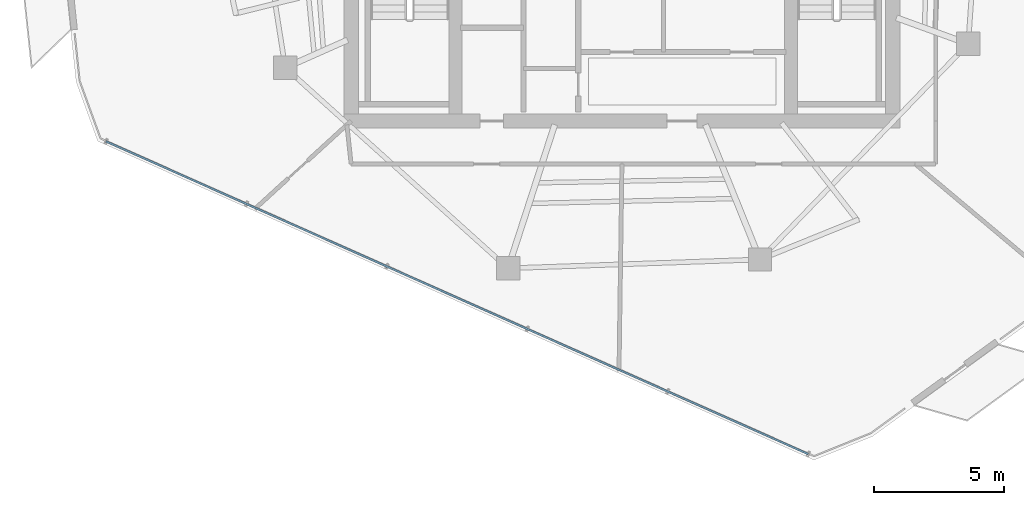
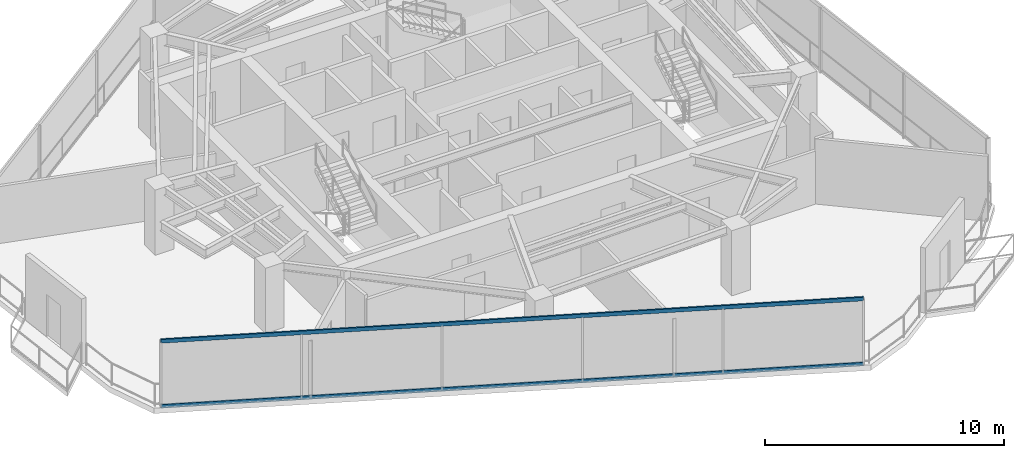
# One storey, part 3 of 20: 2 members, 1 element without a shape of its own.
"""IFC4 building model written with IfcOpenShell, lengths in metres."""

from ifc_helpers import new_model, si_unit, direction, frame, origin, origin_2d, place, context, subcontext, project, spatial, hollow_rectangle, extrude, material, layer, layer_set, material_profile, profile_set, type_object, element, aggregate, save


model = new_model("IFC4")

# Units and contexts
model_context = context("Model", 3, precision=1e-05, world=origin(), true_north=direction((0.0, 1.0)))
body_context = subcontext(model_context, "Body", "Model", "MODEL_VIEW")
ifc_project = project(units=[si_unit("LENGTHUNIT", "METRE"), si_unit("AREAUNIT", "SQUARE_METRE"), si_unit("VOLUMEUNIT", "CUBIC_METRE"), si_unit("PLANEANGLEUNIT", "RADIAN"), si_unit("MASSUNIT", "GRAM", prefix="KILO")], contexts=[model_context])

# Site, building, storey
site_placement = place(None, origin())
site = spatial("IfcSite", under=ifc_project, at=site_placement, CompositionType="ELEMENT")
building_placement = place(site_placement, origin())
building = spatial("IfcBuilding", under=site, at=building_placement, Name="Qarnah Convention Tower", CompositionType="ELEMENT")
storey_placement = place(building_placement, frame((0.0, 0.0, 202.199951171875)))
storey = spatial("IfcBuildingStorey", under=building, at=storey_placement, Name="L54", CompositionType="ELEMENT", Elevation=202.199951171875)

# Curtain wall, members
ifc_material_1 = material(Name="Tempered Low-E dark glass", Category="glass")
ifc_layer = layer(ifc_material_1, 0.174072265625)
ifc_layer_set = layer_set([ifc_layer], Name="Tempered Low-E dark glass")
curtain_wall_type = type_object("IfcCurtainWallType", Name="CWS-04", PredefinedType="NOTDEFINED", material=ifc_layer_set)
curtain_wall_placement = place(storey_placement, origin())
curtain_wall = element("IfcCurtainWall", 1, at=curtain_wall_placement, inside=storey, type_object=curtain_wall_type, Name="L54 unitised curtain wall CW-L54-F1", PredefinedType="NOTDEFINED")
ifc_material_2 = material(Name="Black anodised aluminium", Category="aluminium")
ifc_material_profile = material_profile(ifc_material_2, hollow_rectangle(XDim=0.074951171875, YDim=0.18994140625, WallThickness=0.0048828125, at=origin_2d()), Name="TRN-75X190")
ifc_profile_set = profile_set([ifc_material_profile], Name="Black anodised aluminium")
member_type = type_object("IfcMemberType", Name="TRN-T4", PredefinedType="USERDEFINED", material=ifc_profile_set)
member_1_placement = place(storey_placement, frame((44.35107421875, 5.80908203125, 0.0), z_axis=(-0.913550724047, 0.406724814332, 0.0), x_axis=(-0.406724814332, -0.913550724047, 0.0)))
member_1 = element("IfcMember", 2, at=member_1_placement, type_object=member_type, Name="CW-L54-F1 transom 1", ObjectType="TRANSOM", PredefinedType="USERDEFINED", context=body_context, shape_type="SweptSolid", body=[
    extrude(hollow_rectangle(XDim=0.074951171875, YDim=0.18994140625, WallThickness=0.0048828125, at=origin_2d()), origin(), (0.0, 0.0, 1.0), 29.51123046875),
])
member_2_placement = place(storey_placement, frame((44.35107421875, 5.80908203125, 3.320068359375), z_axis=(-0.913550724047, 0.406724814332, 0.0), x_axis=(-0.406724814332, -0.913550724047, 0.0)))
member_2 = element("IfcMember", 3, at=member_2_placement, type_object=member_type, Name="CW-L54-F1 transom 2", ObjectType="TRANSOM", PredefinedType="USERDEFINED", context=body_context, shape_type="SweptSolid", body=[
    extrude(hollow_rectangle(XDim=0.074951171875, YDim=0.18994140625, WallThickness=0.0048828125, at=origin_2d()), origin(), (0.0, 0.0, 1.0), 29.51123046875),
])
aggregate(curtain_wall, [member_1, member_2])

save(model, "model.ifc")
